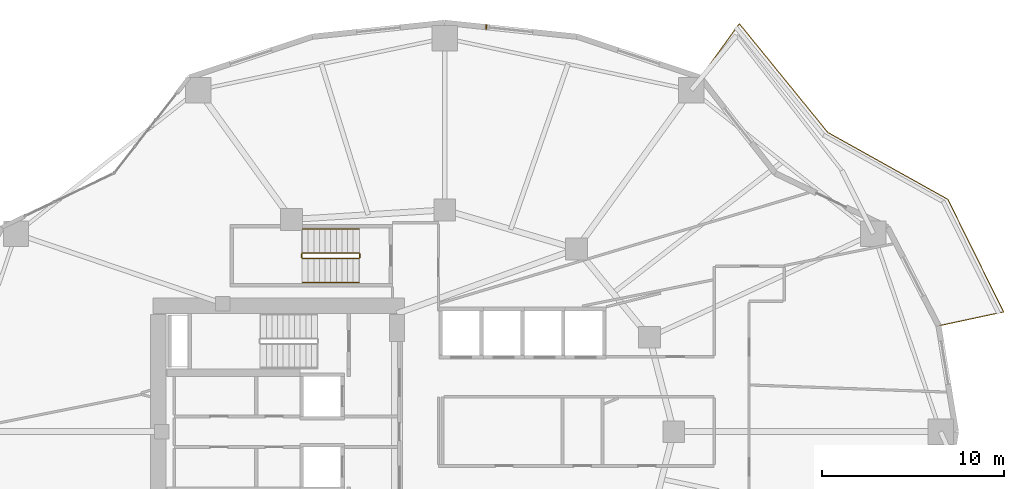
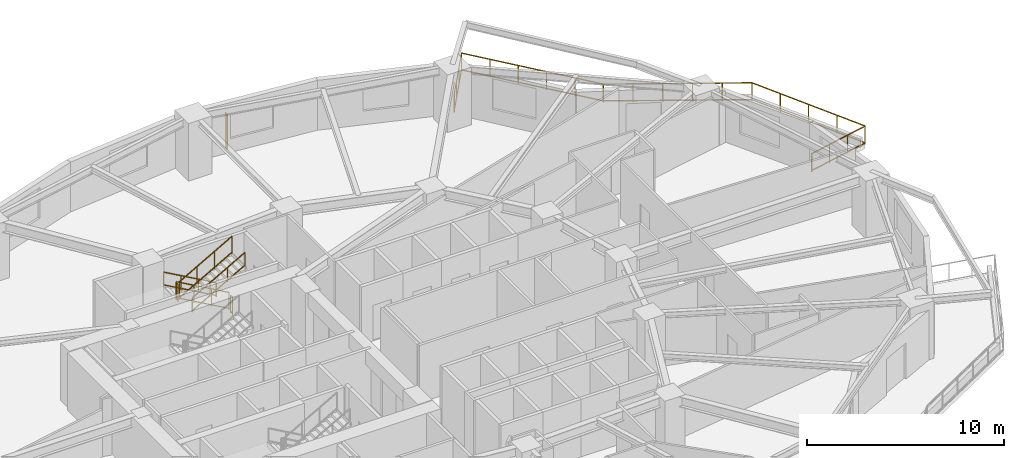
# One storey, part 14 of 14: 7 railings, 1 shading device.
"""IFC4 building model written with IfcOpenShell, lengths in metres."""

from ifc_helpers import new_model, si_unit, direction, frame, origin, origin_2d, place, context, subcontext, project, spatial, rectangle, extrude, material, type_object, element, save


model = new_model("IFC4")

# Units and contexts
model_context = context("Model", 3, precision=1e-05, world=origin(), true_north=direction((0.0, 1.0)))
body_context = subcontext(model_context, "Body", "Model", "MODEL_VIEW")
ifc_project = project(units=[si_unit("LENGTHUNIT", "METRE"), si_unit("AREAUNIT", "SQUARE_METRE"), si_unit("VOLUMEUNIT", "CUBIC_METRE"), si_unit("PLANEANGLEUNIT", "RADIAN"), si_unit("MASSUNIT", "GRAM", prefix="KILO")], contexts=[model_context])

# Site, building, storey
site_placement = place(None, origin())
site = spatial("IfcSite", under=ifc_project, at=site_placement, CompositionType="ELEMENT")
building_placement = place(site_placement, origin())
building = spatial("IfcBuilding", under=site, at=building_placement, Name="Kolvaren Gate Tower and Convention Centre", CompositionType="ELEMENT")
storey_placement = place(building_placement, frame((0.0, 0.0, 45.75)))
storey = spatial("IfcBuildingStorey", under=building, at=storey_placement, Name="L10", CompositionType="ELEMENT", Elevation=45.75)

# Railings
ifc_material_1 = material(Name="Brushed Stainless Steel Grade 316L", Category="steel")
railing_type_1 = type_object("IfcRailingType", Name="ARCH-RL-GUARD-1150", PredefinedType="GUARDRAIL", material=ifc_material_1)
railing_1_placement = place(storey_placement, frame((25.39990234375, 36.830078125, 0.175048828125)))
element("IfcRailing", 1, at=railing_1_placement, inside=storey, type_object=railing_type_1, Name="L10 ST-T3 stair guard 1", PredefinedType="GUARDRAIL", context=body_context, shape_type="SweptSolid", body=[
    extrude(rectangle(XDim=0.048095703125, YDim=0.048095703125, at=origin_2d()), frame((0.0, 0.0, 1.076171875), z_axis=(-0.870814364268, 0.0, 0.491611984175), x_axis=(0.0, -1.0, 0.0)), (0.0, 0.0, 1.0), 3.559814453125),
    extrude(rectangle(XDim=0.048095703125, YDim=0.048095703125, at=origin_2d()), frame((0.0, 0.0, 0.083984375), z_axis=(-0.870814364268, 0.0, 0.491611984175), x_axis=(0.0, -1.0, 0.0)), (0.0, 0.0, 1.0), 3.559814453125),
    extrude(rectangle(XDim=0.0419921875, YDim=0.0419921875, at=origin_2d()), origin(), (0.0, 0.0, 1.0), 1.050048828125),
    extrude(rectangle(XDim=0.0419921875, YDim=0.0419921875, at=origin_2d()), frame((-3.099853515625, 0.0, 1.75)), (0.0, 0.0, 1.0), 1.050048828125),
    extrude(rectangle(XDim=0.0419921875, YDim=0.0419921875, at=origin_2d()), frame((-1.033203125, 0.0, 0.583251953125)), (0.0, 0.0, 1.0), 1.050048828125),
    extrude(rectangle(XDim=0.0419921875, YDim=0.0419921875, at=origin_2d()), frame((-2.066650390625, 0.0, 1.166748046875)), (0.0, 0.0, 1.0), 1.050048828125),
])
railing_2_placement = place(storey_placement, frame((22.25, 36.780029296875, 1.925048828125)))
element("IfcRailing", 2, at=railing_2_placement, inside=storey, type_object=railing_type_1, Name="L10 ST-T3 stair guard 2", PredefinedType="GUARDRAIL", context=body_context, shape_type="SweptSolid", body=[
    extrude(rectangle(XDim=0.048095703125, YDim=0.048095703125, at=origin_2d()), frame((0.0, 0.0, 1.076171875), z_axis=(0.0, -1.0, 0.0), x_axis=(1.0, 0.0, 0.0)), (0.0, 0.0, 1.0), 0.199951171875),
    extrude(rectangle(XDim=0.048095703125, YDim=0.048095703125, at=origin_2d()), frame((0.0, 0.0, 0.083984375), z_axis=(0.0, -1.0, 0.0), x_axis=(1.0, 0.0, 0.0)), (0.0, 0.0, 1.0), 0.199951171875),
    extrude(rectangle(XDim=0.0419921875, YDim=0.0419921875, at=origin_2d()), origin(), (0.0, 0.0, 1.0), 1.050048828125),
    extrude(rectangle(XDim=0.0419921875, YDim=0.0419921875, at=origin_2d()), frame((0.0, -0.199951171875, 0.0)), (0.0, 0.0, 1.0), 1.050048828125),
])
railing_3_placement = place(storey_placement, frame((22.300048828125, 36.530029296875, 2.10009765625)))
element("IfcRailing", 3, at=railing_3_placement, inside=storey, type_object=railing_type_1, Name="L10 ST-T3 stair guard 3", PredefinedType="GUARDRAIL", context=body_context, shape_type="SweptSolid", body=[
    extrude(rectangle(XDim=0.048095703125, YDim=0.048095703125, at=origin_2d()), frame((0.0, 0.0, 1.076171875), z_axis=(0.870814364268, 0.0, 0.491611984175), x_axis=(0.0, 1.0, 0.0)), (0.0, 0.0, 1.0), 3.559814453125),
    extrude(rectangle(XDim=0.048095703125, YDim=0.048095703125, at=origin_2d()), frame((0.0, 0.0, 0.083984375), z_axis=(0.870814364268, 0.0, 0.491611984175), x_axis=(0.0, 1.0, 0.0)), (0.0, 0.0, 1.0), 3.559814453125),
    extrude(rectangle(XDim=0.0419921875, YDim=0.0419921875, at=origin_2d()), origin(), (0.0, 0.0, 1.0), 1.050048828125),
    extrude(rectangle(XDim=0.0419921875, YDim=0.0419921875, at=origin_2d()), frame((3.099853515625, 0.0, 1.75)), (0.0, 0.0, 1.0), 1.050048828125),
    extrude(rectangle(XDim=0.0419921875, YDim=0.0419921875, at=origin_2d()), frame((1.033203125, 0.0, 0.583251953125)), (0.0, 0.0, 1.0), 1.050048828125),
    extrude(rectangle(XDim=0.0419921875, YDim=0.0419921875, at=origin_2d()), frame((2.066650390625, 0.0, 1.166748046875)), (0.0, 0.0, 1.0), 1.050048828125),
])
railing_4_placement = place(storey_placement, frame((25.449951171875, 36.780029296875, 0.0)))
element("IfcRailing", 4, at=railing_4_placement, inside=storey, type_object=railing_type_1, Name="L10 ST-T3 stair guard 4", PredefinedType="GUARDRAIL", context=body_context, shape_type="SweptSolid", body=[
    extrude(rectangle(XDim=0.048095703125, YDim=0.048095703125, at=origin_2d()), frame((0.0, 0.0, 1.076171875), z_axis=(0.0, -1.0, 0.0), x_axis=(1.0, 0.0, 0.0)), (0.0, 0.0, 1.0), 0.199951171875),
    extrude(rectangle(XDim=0.048095703125, YDim=0.048095703125, at=origin_2d()), frame((0.0, 0.0, 0.083984375), z_axis=(0.0, -1.0, 0.0), x_axis=(1.0, 0.0, 0.0)), (0.0, 0.0, 1.0), 0.199951171875),
    extrude(rectangle(XDim=0.0419921875, YDim=0.0419921875, at=origin_2d()), origin(), (0.0, 0.0, 1.0), 1.050048828125),
    extrude(rectangle(XDim=0.0419921875, YDim=0.0419921875, at=origin_2d()), frame((0.0, -0.199951171875, 0.0)), (0.0, 0.0, 1.0), 1.050048828125),
])
railing_5_placement = place(storey_placement, frame((57.291748046875, 32.823486328125, 0.0)))
element("IfcRailing", 5, at=railing_5_placement, inside=storey, type_object=railing_type_1, Name="Tower L10 Terrace Perimeter Guardrail GR-1", PredefinedType="GUARDRAIL", context=body_context, shape_type="SweptSolid", body=[
    extrude(rectangle(XDim=0.048095703125, YDim=0.048095703125, at=origin_2d()), frame((0.02734375, 0.005859375, 1.1259765625), z_axis=(0.977788745232, 0.209592866525, 0.0), x_axis=(-0.209592866525, 0.977788745232, 0.0)), (0.0, 0.0, 1.0), 3.603759765625),
    extrude(rectangle(XDim=0.048095703125, YDim=0.048095703125, at=origin_2d()), frame((0.02734375, 0.005859375, 0.083984375), z_axis=(0.977788745232, 0.209592866525, 0.0), x_axis=(-0.209592866525, 0.977788745232, 0.0)), (0.0, 0.0, 1.0), 3.603759765625),
    extrude(rectangle(XDim=0.048095703125, YDim=0.048095703125, at=origin_2d()), frame((3.566162109375, 0.792236328125, 1.1259765625), z_axis=(-0.443578479433, 0.8962355341, 0.0), x_axis=(-0.8962355341, -0.443578479433, 0.0)), (0.0, 0.0, 1.0), 6.855224609375),
    extrude(rectangle(XDim=0.048095703125, YDim=0.048095703125, at=origin_2d()), frame((3.566162109375, 0.792236328125, 0.083984375), z_axis=(-0.443578479433, 0.8962355341, 0.0), x_axis=(-0.8962355341, -0.443578479433, 0.0)), (0.0, 0.0, 1.0), 6.855224609375),
    extrude(rectangle(XDim=0.048095703125, YDim=0.048095703125, at=origin_2d()), frame((0.488525390625, 6.974853515625, 1.1259765625), z_axis=(-0.873486390754, 0.486848564923, 0.0), x_axis=(-0.486848564923, -0.873486390754, 0.0)), (0.0, 0.0, 1.0), 7.506103515625),
    extrude(rectangle(XDim=0.048095703125, YDim=0.048095703125, at=origin_2d()), frame((0.488525390625, 6.974853515625, 0.083984375), z_axis=(-0.873486390754, 0.486848564923, 0.0), x_axis=(-0.486848564923, -0.873486390754, 0.0)), (0.0, 0.0, 1.0), 7.506103515625),
    extrude(rectangle(XDim=0.048095703125, YDim=0.048095703125, at=origin_2d()), frame((-6.110107421875, 10.66455078125, 1.1259765625), z_axis=(-0.631012936188, 0.775772308324, 0.0), x_axis=(-0.775772308324, -0.631012936188, 0.0)), (0.0, 0.0, 1.0), 7.661376953125),
    extrude(rectangle(XDim=0.048095703125, YDim=0.048095703125, at=origin_2d()), frame((-6.110107421875, 10.66455078125, 0.083984375), z_axis=(-0.631012936188, 0.775772308324, 0.0), x_axis=(-0.775772308324, -0.631012936188, 0.0)), (0.0, 0.0, 1.0), 7.661376953125),
    extrude(rectangle(XDim=0.048095703125, YDim=0.048095703125, at=origin_2d()), frame((-10.978759765625, 16.607177734375, 1.1259765625), z_axis=(-0.585212870465, -0.810879705161, 0.0), x_axis=(0.810879705161, -0.585212870465, 0.0)), (0.0, 0.0, 1.0), 3.603759765625),
    extrude(rectangle(XDim=0.048095703125, YDim=0.048095703125, at=origin_2d()), frame((-10.978759765625, 16.607177734375, 0.083984375), z_axis=(-0.585212870465, -0.810879705161, 0.0), x_axis=(0.810879705161, -0.585212870465, 0.0)), (0.0, 0.0, 1.0), 3.603759765625),
    extrude(rectangle(XDim=0.0419921875, YDim=0.0419921875, at=origin_2d()), origin(), (0.0, 0.0, 1.0), 1.14990234375),
    extrude(rectangle(XDim=0.0419921875, YDim=0.0419921875, at=origin_2d()), frame((3.57861328125, 0.76708984375, 0.0)), (0.0, 0.0, 1.0), 1.14990234375),
    extrude(rectangle(XDim=0.0419921875, YDim=0.0419921875, at=origin_2d()), frame((1.19287109375, 0.255615234375, 0.0)), (0.0, 0.0, 1.0), 1.099853515625),
    extrude(rectangle(XDim=0.0419921875, YDim=0.0419921875, at=origin_2d()), frame((2.3857421875, 0.511474609375, 0.0)), (0.0, 0.0, 1.0), 1.099853515625),
    extrude(rectangle(XDim=0.0419921875, YDim=0.0419921875, at=origin_2d()), frame((0.512939453125, 6.961181640625, 0.0)), (0.0, 0.0, 1.0), 1.14990234375),
    extrude(rectangle(XDim=0.0419921875, YDim=0.0419921875, at=origin_2d()), frame((2.812255859375, 2.315673828125, 0.0)), (0.0, 0.0, 1.0), 1.099853515625),
    extrude(rectangle(XDim=0.0419921875, YDim=0.0419921875, at=origin_2d()), frame((2.0458984375, 3.8642578125, 0.0)), (0.0, 0.0, 1.0), 1.099853515625),
    extrude(rectangle(XDim=0.0419921875, YDim=0.0419921875, at=origin_2d()), frame((1.279296875, 5.41259765625, 0.0)), (0.0, 0.0, 1.0), 1.099853515625),
    extrude(rectangle(XDim=0.0419921875, YDim=0.0419921875, at=origin_2d()), frame((-6.092529296875, 10.642822265625, 0.0)), (0.0, 0.0, 1.0), 1.14990234375),
    extrude(rectangle(XDim=0.0419921875, YDim=0.0419921875, at=origin_2d()), frame((-0.80810546875, 7.697509765625, 0.0)), (0.0, 0.0, 1.0), 1.099853515625),
    extrude(rectangle(XDim=0.0419921875, YDim=0.0419921875, at=origin_2d()), frame((-2.129150390625, 8.433837890625, 0.0)), (0.0, 0.0, 1.0), 1.099853515625),
    extrude(rectangle(XDim=0.0419921875, YDim=0.0419921875, at=origin_2d()), frame((-3.450439453125, 9.170166015625, 0.0)), (0.0, 0.0, 1.0), 1.099853515625),
    extrude(rectangle(XDim=0.0419921875, YDim=0.0419921875, at=origin_2d()), frame((-4.771484375, 9.906494140625, 0.0)), (0.0, 0.0, 1.0), 1.099853515625),
    extrude(rectangle(XDim=0.0419921875, YDim=0.0419921875, at=origin_2d()), frame((-10.96240234375, 16.6298828125, 0.0)), (0.0, 0.0, 1.0), 1.14990234375),
    extrude(rectangle(XDim=0.0419921875, YDim=0.0419921875, at=origin_2d()), frame((-7.06640625, 11.84033203125, 0.0)), (0.0, 0.0, 1.0), 1.099853515625),
    extrude(rectangle(XDim=0.0419921875, YDim=0.0419921875, at=origin_2d()), frame((-8.04052734375, 13.03759765625, 0.0)), (0.0, 0.0, 1.0), 1.099853515625),
    extrude(rectangle(XDim=0.0419921875, YDim=0.0419921875, at=origin_2d()), frame((-9.014404296875, 14.235107421875, 0.0)), (0.0, 0.0, 1.0), 1.099853515625),
    extrude(rectangle(XDim=0.0419921875, YDim=0.0419921875, at=origin_2d()), frame((-9.988525390625, 15.432373046875, 0.0)), (0.0, 0.0, 1.0), 1.099853515625),
    extrude(rectangle(XDim=0.0419921875, YDim=0.0419921875, at=origin_2d()), frame((-13.104248046875, 13.662109375, 0.0)), (0.0, 0.0, 1.0), 1.14990234375),
    extrude(rectangle(XDim=0.0419921875, YDim=0.0419921875, at=origin_2d()), frame((-11.67626953125, 15.640625, 0.0)), (0.0, 0.0, 1.0), 1.099853515625),
    extrude(rectangle(XDim=0.0419921875, YDim=0.0419921875, at=origin_2d()), frame((-12.390380859375, 14.6513671875, 0.0)), (0.0, 0.0, 1.0), 1.099853515625),
])
railing_type_2 = type_object("IfcRailingType", Name="ARCH-RL-HANDRAIL-920", PredefinedType="HANDRAIL", material=ifc_material_1)
railing_6_placement = place(storey_placement, frame((25.39990234375, 38.14990234375, 0.175048828125)))
element("IfcRailing", 6, at=railing_6_placement, inside=storey, type_object=railing_type_2, Name="L10 ST-T3 stair handrail 1", PredefinedType="HANDRAIL", context=body_context, shape_type="SweptSolid", body=[
    extrude(rectangle(XDim=0.048095703125, YDim=0.048095703125, at=origin_2d()), frame((0.0, 0.0, 0.8759765625), z_axis=(-0.870814364268, 0.0, 0.491611984175), x_axis=(0.0, -1.0, 0.0)), (0.0, 0.0, 1.0), 3.559814453125),
    extrude(rectangle(XDim=0.048095703125, YDim=0.048095703125, at=origin_2d()), frame((0.0, 0.0, 0.083984375), z_axis=(-0.870814364268, 0.0, 0.491611984175), x_axis=(0.0, -1.0, 0.0)), (0.0, 0.0, 1.0), 3.559814453125),
    extrude(rectangle(XDim=0.0419921875, YDim=0.0419921875, at=origin_2d()), origin(), (0.0, 0.0, 1.0), 0.849853515625),
    extrude(rectangle(XDim=0.0419921875, YDim=0.0419921875, at=origin_2d()), frame((-3.099853515625, 0.0, 1.75)), (0.0, 0.0, 1.0), 0.849853515625),
    extrude(rectangle(XDim=0.0419921875, YDim=0.0419921875, at=origin_2d()), frame((-1.033203125, 0.0, 0.583251953125)), (0.0, 0.0, 1.0), 0.849853515625),
    extrude(rectangle(XDim=0.0419921875, YDim=0.0419921875, at=origin_2d()), frame((-2.066650390625, 0.0, 1.166748046875)), (0.0, 0.0, 1.0), 0.849853515625),
])
railing_7_placement = place(storey_placement, frame((22.300048828125, 35.2099609375, 2.10009765625)))
element("IfcRailing", 7, at=railing_7_placement, inside=storey, type_object=railing_type_2, Name="L10 ST-T3 stair handrail 2", PredefinedType="HANDRAIL", context=body_context, shape_type="SweptSolid", body=[
    extrude(rectangle(XDim=0.048095703125, YDim=0.048095703125, at=origin_2d()), frame((0.0, 0.0, 0.8759765625), z_axis=(0.870814364268, 0.0, 0.491611984175), x_axis=(0.0, 1.0, 0.0)), (0.0, 0.0, 1.0), 3.559814453125),
    extrude(rectangle(XDim=0.048095703125, YDim=0.048095703125, at=origin_2d()), frame((0.0, 0.0, 0.083984375), z_axis=(0.870814364268, 0.0, 0.491611984175), x_axis=(0.0, 1.0, 0.0)), (0.0, 0.0, 1.0), 3.559814453125),
    extrude(rectangle(XDim=0.0419921875, YDim=0.0419921875, at=origin_2d()), origin(), (0.0, 0.0, 1.0), 0.849853515625),
    extrude(rectangle(XDim=0.0419921875, YDim=0.0419921875, at=origin_2d()), frame((3.099853515625, 0.0, 1.75)), (0.0, 0.0, 1.0), 0.849853515625),
    extrude(rectangle(XDim=0.0419921875, YDim=0.0419921875, at=origin_2d()), frame((1.033203125, 0.0, 0.583251953125)), (0.0, 0.0, 1.0), 0.849853515625),
    extrude(rectangle(XDim=0.0419921875, YDim=0.0419921875, at=origin_2d()), frame((2.066650390625, 0.0, 1.166748046875)), (0.0, 0.0, 1.0), 0.849853515625),
])

# Shading device
ifc_material_2 = material(Name="Kiln-Fired Bogota Terracotta Ceramic Louvre Profile", Category="masonry")
shading_device_type = type_object("IfcShadingDeviceType", Name="ARCH-SHD-FIN-180", PredefinedType="JALOUSIE", material=ifc_material_2)
shading_device_placement = place(storey_placement, frame((32.412353515625, 49.259033203125, 0.219970703125), z_axis=(0.0, 0.0, 1.0), x_axis=(0.994498884311, -0.104747167526, 0.0)))
element("IfcShadingDevice", 8, at=shading_device_placement, inside=storey, type_object=shading_device_type, Name="Ceramic Vertical Brise-Soleil Fin FN-L10-05", PredefinedType="JALOUSIE", context=body_context, shape_type="SweptSolid", body=[
    extrude(rectangle(XDim=0.06005859375, YDim=0.239990234375, at=origin_2d()), origin(), (0.0, 0.0, 1.0), 2.14990234375),
])

save(model, "model.ifc")
